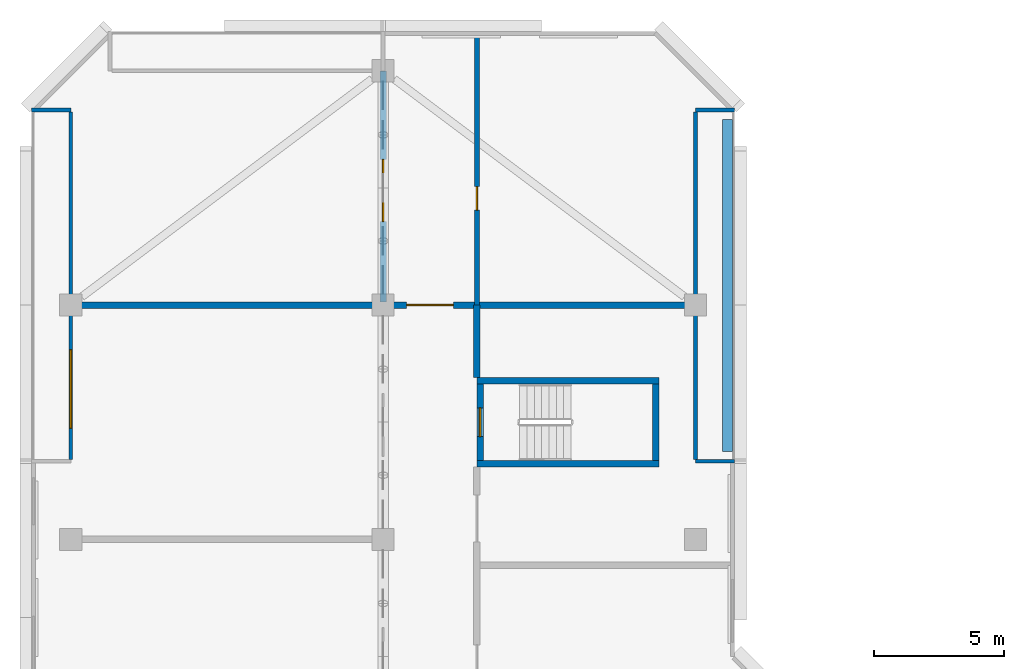
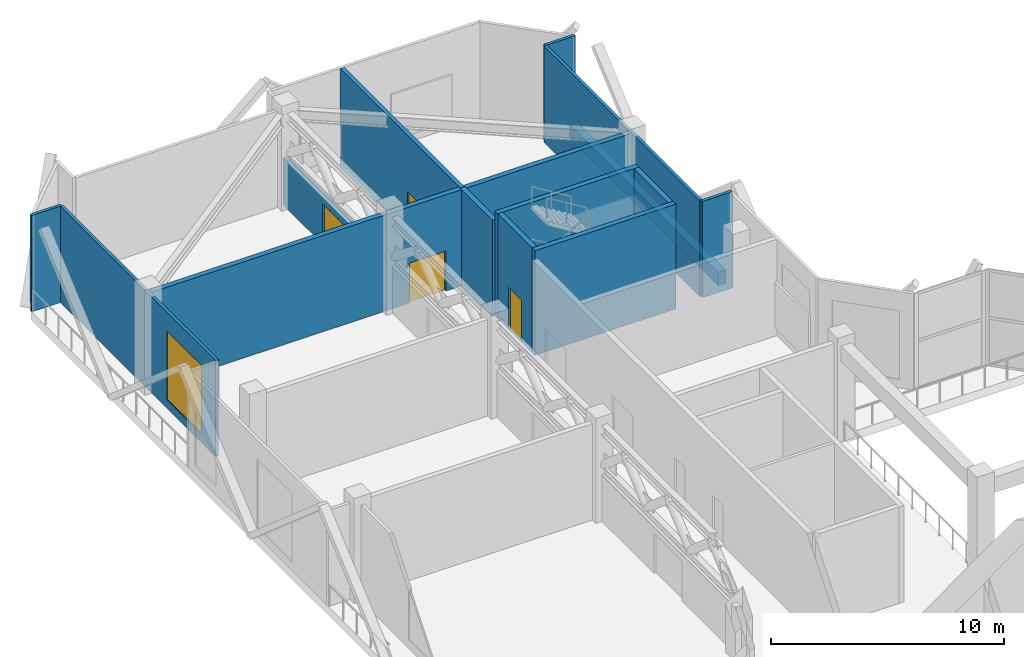
# One storey, part 9 of 14: 15 walls, 4 doors, 1 window, 5 openings.
"""IFC4 building model written with IfcOpenShell, lengths in metres."""

from ifc_helpers import new_model, si_unit, direction, frame, frame_2d, origin, place, context, subcontext, project, spatial, rectangle, extrude, material, layer, layer_set, type_object, element, fill, save


model = new_model("IFC4")

# Units and contexts
model_context = context("Model", 3, precision=1e-05, world=origin(), true_north=direction((0.0, 1.0)))
body_context = subcontext(model_context, "Body", "Model", "MODEL_VIEW")
ifc_project = project(units=[si_unit("LENGTHUNIT", "METRE"), si_unit("AREAUNIT", "SQUARE_METRE"), si_unit("VOLUMEUNIT", "CUBIC_METRE"), si_unit("PLANEANGLEUNIT", "RADIAN"), si_unit("MASSUNIT", "GRAM", prefix="KILO")], contexts=[model_context])

# Site, building, storey
site_placement = place(None, origin())
site = spatial("IfcSite", under=ifc_project, at=site_placement, CompositionType="ELEMENT")
building_placement = place(site_placement, origin())
building = spatial("IfcBuilding", under=site, at=building_placement, Name="Chenar Terraces", CompositionType="ELEMENT")
storey_placement = place(building_placement, frame((0.0, 0.0, 256.64990234375)))
storey = spatial("IfcBuildingStorey", under=building, at=storey_placement, Name="L61", CompositionType="ELEMENT", Elevation=256.64990234375)

# Walls
ifc_material_1 = material(Name="Concrete C60/75", Category="concrete")
ifc_layer_1 = layer(ifc_material_1, 0.25)
ifc_layer_set_1 = layer_set([ifc_layer_1], Name="Concrete C60/75")
wall_type_1 = type_object("IfcWallType", Name="Core wall 250 Concrete C60/75", PredefinedType="SHEAR", material=ifc_layer_set_1)
for number, where, z_axis, x_axis, name in (
    (1, (15.60009765625, 47.89990234375, 0.0), (0.0, 0.0, 1.0), (1.0, 0.0, 0.0), "Core wall ST4_S L61"),
    (2, (15.60009765625, 51.10009765625, 0.0), (0.0, 0.0, 1.0), (1.0, 0.0, 0.0), "Core wall ST4_N L61"),
):
    element("IfcWall", number, at=place(storey_placement, frame(where, z_axis=z_axis, x_axis=x_axis)), inside=storey, type_object=wall_type_1, Name=name, PredefinedType="SHEAR", context=body_context, shape_type="SweptSolid", body=[
        extrude(rectangle(XDim=7.0, YDim=0.25, at=frame_2d((3.5, 0.0))), origin(), (0.0, 0.0, 1.0), 5.5),
    ])

# Wall, opening, door
wall_1_placement = place(storey_placement, frame((15.72509765625, 48.02490234375, 0.0), z_axis=(0.0, 0.0, 1.0), x_axis=(0.0, 1.0, 0.0)))
wall_1 = element("IfcWall", 3, at=wall_1_placement, inside=storey, type_object=wall_type_1, Name="Core wall ST4_W L61", PredefinedType="SHEAR", context=body_context, shape_type="SweptSolid", body=[
    extrude(rectangle(XDim=2.9501953125, YDim=0.25, at=frame_2d((1.47509765625, 0.0))), origin(), (0.0, 0.0, 1.0), 5.5),
])
opening_1_placement = place(wall_1_placement, frame((0.925048828125, 0.0, 0.0)))
opening_1 = element("IfcOpeningElement", 4, at=opening_1_placement, cuts=wall_1, Name="Opening DL61-C9", PredefinedType="OPENING", context=body_context, shape_type="SweptSolid", body=[
    extrude(rectangle(XDim=1.10009765625, YDim=2.199951171875, at=frame_2d((0.550048828125, 1.10009765625))), frame((0.0, 0.135009765625, 0.0), z_axis=(0.0, -1.0, 0.0), x_axis=(1.0, 0.0, 0.0)), (0.0, 0.0, 1.0), 0.27001953125),
])
ifc_material_2 = material(Name="Steel-framed fire-resisting door leaf", Category="steel")
door_type_1 = type_object("IfcDoorType", Name="Stair fire door FD60 1100 x 2200", OperationType="SINGLE_SWING_LEFT", PredefinedType="DOOR", material=ifc_material_2)
door_1_placement = place(opening_1_placement, frame((1.10009765625, 0.0, 0.0), z_axis=(0.0, 0.0, 1.0), x_axis=(-1.0, 0.0, 0.0)))
door_1 = element("IfcDoor", 5, at=door_1_placement, inside=storey, type_object=door_type_1, Name="Stair door DL61-C9", OperationType="SINGLE_SWING_RIGHT", OverallHeight=2.199951171875, OverallWidth=1.10009765625, PredefinedType="DOOR", context=body_context, shape_type="SweptSolid", body=[
    extrude(rectangle(XDim=1.10009765625, YDim=2.199951171875, at=frame_2d((0.550048828125, 1.10009765625))), frame((0.0, 0.02490234375, 0.0), z_axis=(0.0, -1.0, 0.0), x_axis=(1.0, 0.0, 0.0)), (0.0, 0.0, 1.0), 0.050048828125),
])
fill(opening_1, door_1)

# Wall
wall_2_placement = place(storey_placement, frame((22.47509765625, 48.02490234375, 0.0), z_axis=(0.0, 0.0, 1.0), x_axis=(0.0, 1.0, 0.0)))
element("IfcWall", 6, at=wall_2_placement, inside=storey, type_object=wall_type_1, Name="Core wall ST4_E L61", PredefinedType="SHEAR", context=body_context, shape_type="SweptSolid", body=[
    extrude(rectangle(XDim=2.9501953125, YDim=0.25, at=frame_2d((1.47509765625, 0.0))), origin(), (0.0, 0.0, 1.0), 5.5),
])

# Wall, opening, door
ifc_material_3 = material(Name="Gypsum board on steel studs with fire boards", Category="steel")
ifc_layer_2 = layer(ifc_material_3, 0.199951171875)
ifc_layer_set_2 = layer_set([ifc_layer_2], Name="Gypsum board on steel studs with fire boards")
wall_type_2 = type_object("IfcWallType", Name="Corridor wall 200", PredefinedType="PARTITIONING", material=ifc_layer_set_2)
wall_3_placement = place(storey_placement, frame((15.60009765625, 54.0, 0.0), z_axis=(0.0, 0.0, 1.0), x_axis=(0.0, 1.0, 0.0)))
wall_3 = element("IfcWall", 7, at=wall_3_placement, inside=storey, type_object=wall_type_2, Name="Partition L61-011", PredefinedType="PARTITIONING", context=body_context, shape_type="SweptSolid", body=[
    extrude(rectangle(XDim=10.35009765625, YDim=0.199951171875, at=frame_2d((5.175048828125, 0.0))), origin(), (0.0, 0.0, 1.0), 5.050048828125),
])
opening_2_placement = place(wall_3_placement, frame((3.64990234375, 0.0, 0.0)))
opening_2 = element("IfcOpeningElement", 8, at=opening_2_placement, cuts=wall_3, Name="Opening DL61-8", PredefinedType="OPENING", context=body_context, shape_type="SweptSolid", body=[
    extrude(rectangle(XDim=0.89990234375, YDim=2.10009765625, at=frame_2d((0.449951171875, 1.050048828125))), frame((0.0, 0.10986328125, 0.0), z_axis=(0.0, -1.0, 0.0), x_axis=(1.0, 0.0, 0.0)), (0.0, 0.0, 1.0), 0.219970703125),
])
ifc_material_4 = material(Name="Steel-framed fire-resisting door leaf", Category="steel")
door_type_2 = type_object("IfcDoorType", Name="Fire door FD60 900 x 2100", OperationType="SINGLE_SWING_LEFT", PredefinedType="DOOR", material=ifc_material_4)
door_2_placement = place(opening_2_placement, frame((0.89990234375, 0.0, 0.0), z_axis=(0.0, 0.0, 1.0), x_axis=(-1.0, 0.0, 0.0)))
door_2 = element("IfcDoor", 9, at=door_2_placement, inside=storey, type_object=door_type_2, Name="Door DL61-8", OperationType="SINGLE_SWING_LEFT", OverallHeight=2.10009765625, OverallWidth=0.89990234375, PredefinedType="DOOR", context=body_context, shape_type="SweptSolid", body=[
    extrude(rectangle(XDim=0.89990234375, YDim=2.10009765625, at=frame_2d((0.449951171875, 1.050048828125))), frame((0.0, 0.02490234375, 0.0), z_axis=(0.0, -1.0, 0.0), x_axis=(1.0, 0.0, 0.0)), (0.0, 0.0, 1.0), 0.050048828125),
])
fill(opening_2, door_2)

# Wall
ifc_material_5 = material(Name="Aluminium framed glazing", Category="aluminium")
ifc_layer_3 = layer(ifc_material_5, 0.14990234375)
ifc_layer_set_3 = layer_set([ifc_layer_3], Name="Aluminium framed glazing")
wall_type_3 = type_object("IfcWallType", Name="Glazed loggia back wall 150", PredefinedType="SOLIDWALL", material=ifc_layer_set_3)
wall_4_placement = place(storey_placement, frame((24.0, 48.074951171875, 0.0), z_axis=(0.0, 0.0, 1.0), x_axis=(0.0, 1.0, 0.0)))
element("IfcWall", 10, at=wall_4_placement, inside=storey, type_object=wall_type_3, Name="Glazed loggia back wall", PredefinedType="SOLIDWALL", context=body_context, shape_type="SweptSolid", body=[
    extrude(rectangle(XDim=13.35009765625, YDim=0.14990234375, at=frame_2d((6.675048828125, 0.0))), origin(), (0.0, 0.0, 1.0), 5.050048828125),
])

# Wall, opening, window
wall_5_placement = place(storey_placement, frame((0.0, 61.425048828125, 0.0), z_axis=(0.0, 0.0, 1.0), x_axis=(0.0, -1.0, 0.0)))
wall_5 = element("IfcWall", 11, at=wall_5_placement, inside=storey, type_object=wall_type_3, Name="Glazed loggia back wall", PredefinedType="SOLIDWALL", context=body_context, shape_type="SweptSolid", body=[
    extrude(rectangle(XDim=13.35009765625, YDim=0.14990234375, at=frame_2d((6.675048828125, 0.0))), origin(), (0.0, 0.0, 1.0), 5.050048828125),
])
opening_3_placement = place(wall_5_placement, frame((9.14990234375, 0.0, 0.449951171875)))
opening_3 = element("IfcOpeningElement", 12, at=opening_3_placement, cuts=wall_5, Name="Opening W300x360", PredefinedType="OPENING", context=body_context, shape_type="SweptSolid", body=[
    extrude(rectangle(XDim=3.0, YDim=3.60009765625, at=frame_2d((1.5, 1.800048828125))), frame((0.0, 0.0849609375, 0.0), z_axis=(0.0, -1.0, 0.0), x_axis=(1.0, 0.0, 0.0)), (0.0, 0.0, 1.0), 0.169921875),
])
ifc_material_6 = material(Name="Low emissivity double glazing, aluminium frame", Category="aluminium")
window_type = type_object("IfcWindowType", Name="Fixed light 3000 x 3600", PartitioningType="SINGLE_PANEL", PredefinedType="WINDOW", material=ifc_material_6)
window_placement = place(opening_3_placement, origin())
window = element("IfcWindow", 13, at=window_placement, inside=storey, type_object=window_type, Name="Window", OverallHeight=3.60009765625, OverallWidth=3.0, PartitioningType="SINGLE_PANEL", PredefinedType="WINDOW", context=body_context, shape_type="SweptSolid", body=[
    extrude(rectangle(XDim=3.0, YDim=3.60009765625, at=frame_2d((1.5, 1.800048828125))), frame((0.0, 0.030029296875, 0.0), z_axis=(0.0, -1.0, 0.0), x_axis=(1.0, 0.0, 0.0)), (0.0, 0.0, 1.0), 0.06005859375),
])
fill(opening_3, window)

# Walls
ifc_material_7 = material(Name="Terracotta cladding on insulated backing", Category="masonry")
ifc_layer_4 = layer(ifc_material_7, 0.14990234375)
ifc_layer_set_4 = layer_set([ifc_layer_4], Name="Terracotta cladding on insulated backing")
wall_type_4 = type_object("IfcWallType", Name="Loggia return wall 150", PredefinedType="SOLIDWALL", material=ifc_layer_set_4)
for number, where, z_axis, x_axis, name in (
    (14, (25.5, 48.0, 0.0), (0.0, 0.0, 1.0), (-1.0, 0.0, 0.0), "Loggia return wall"),
    (15, (25.5, 61.5, 0.0), (0.0, 0.0, 1.0), (-1.0, 0.0, 0.0), "Loggia return wall"),
    (16, (-1.5, 61.5, 0.0), (0.0, 0.0, 1.0), (1.0, 0.0, 0.0), "Loggia return wall"),
):
    element("IfcWall", number, at=place(storey_placement, frame(where, z_axis=z_axis, x_axis=x_axis)), inside=storey, type_object=wall_type_4, Name=name, PredefinedType="SOLIDWALL", context=body_context, shape_type="SweptSolid", body=[
        extrude(rectangle(XDim=1.5, YDim=0.14990234375, at=frame_2d((0.75, 0.0))), origin(), (0.0, 0.0, 1.0), 5.050048828125),
    ])

# Wall, opening, door
ifc_material_8 = material(Name="Fire-board and steel stud wall with mineral wool", Category="steel")
ifc_layer_5 = layer(ifc_material_8, 0.25)
ifc_layer_set_5 = layer_set([ifc_layer_5], Name="Fire-board and steel stud wall with mineral wool")
wall_type_5 = type_object("IfcWallType", Name="Plant room wall 250", PredefinedType="PARTITIONING", material=ifc_layer_set_5)
wall_6_placement = place(storey_placement, frame((12.0, 54.125, 0.0), z_axis=(0.0, 0.0, 1.0), x_axis=(0.0, 1.0, 0.0)))
wall_6 = element("IfcWall", 17, at=wall_6_placement, inside=storey, type_object=wall_type_5, Name="Partition L61-008", PredefinedType="PARTITIONING", context=body_context, shape_type="SweptSolid", body=[
    extrude(rectangle(XDim=8.875, YDim=0.25, at=frame_2d((4.4375, 0.0))), origin(), (0.0, 0.0, 1.0), 2.4501953125),
])
opening_4_placement = place(wall_6_placement, frame((3.074951171875, 0.0, 0.0)))
opening_4 = element("IfcOpeningElement", 18, at=opening_4_placement, cuts=wall_6, Name="Opening DL61-12", PredefinedType="OPENING", context=body_context, shape_type="SweptSolid", body=[
    extrude(rectangle(XDim=2.39990234375, YDim=2.10009765625, at=frame_2d((1.199951171875, 1.050048828125))), frame((0.0, 0.135009765625, 0.0), z_axis=(0.0, -1.0, 0.0), x_axis=(1.0, 0.0, 0.0)), (0.0, 0.0, 1.0), 0.27001953125),
])
ifc_material_9 = material(Name="Steel-framed fire-resisting door leaf", Category="steel")
door_type_3 = type_object("IfcDoorType", Name="Fire double door FD120 2400 x 2100", OperationType="DOUBLE_DOOR_SINGLE_SWING", PredefinedType="DOOR", material=ifc_material_9)
door_3_placement = place(opening_4_placement, origin())
door_3 = element("IfcDoor", 19, at=door_3_placement, inside=storey, type_object=door_type_3, Name="Door DL61-12", OperationType="DOUBLE_DOOR_SINGLE_SWING", OverallHeight=2.10009765625, OverallWidth=2.39990234375, PredefinedType="DOOR", context=body_context, shape_type="SweptSolid", body=[
    extrude(rectangle(XDim=2.39990234375, YDim=2.10009765625, at=frame_2d((1.199951171875, 1.050048828125))), frame((0.0, 0.02490234375, 0.0), z_axis=(0.0, -1.0, 0.0), x_axis=(1.0, 0.0, 0.0)), (0.0, 0.0, 1.0), 0.050048828125),
])
fill(opening_4, door_3)

# Wall
wall_7_placement = place(storey_placement, frame((15.60009765625, 54.0, 0.0), z_axis=(0.0, 0.0, 1.0), x_axis=(1.0, 0.0, 0.0)))
element("IfcWall", 20, at=wall_7_placement, inside=storey, type_object=wall_type_5, Name="Partition L61-012", PredefinedType="PARTITIONING", context=body_context, shape_type="SweptSolid", body=[
    extrude(rectangle(XDim=8.325927734375, YDim=0.25, at=frame_2d((4.1630859375, 0.0))), origin(), (0.0, 0.0, 1.0), 5.050048828125),
])

# Wall, opening, door
ifc_material_10 = material(Name="Fire-board and steel stud wall with mineral wool", Category="steel")
ifc_layer_6 = layer(ifc_material_10, 0.25)
ifc_layer_set_6 = layer_set([ifc_layer_6], Name="Fire-board and steel stud wall with mineral wool")
wall_type_6 = type_object("IfcWallType", Name="Refuge compartment wall 250", PredefinedType="PARTITIONING", material=ifc_layer_set_6)
wall_8_placement = place(storey_placement, frame((0.073974609375, 54.0, 0.0), z_axis=(0.0, 0.0, 1.0), x_axis=(1.0, 0.0, 0.0)))
wall_8 = element("IfcWall", 21, at=wall_8_placement, inside=storey, type_object=wall_type_6, Name="Partition L61-005", PredefinedType="PARTITIONING", context=body_context, shape_type="SweptSolid", body=[
    extrude(rectangle(XDim=15.526123046875, YDim=0.25, at=frame_2d((7.76318359375, 0.0))), origin(), (0.0, 0.0, 1.0), 5.050048828125),
])
opening_5_placement = place(wall_8_placement, frame((12.825927734375, 0.0, 0.0)))
opening_5 = element("IfcOpeningElement", 22, at=opening_5_placement, cuts=wall_8, Name="Opening DL61-16", PredefinedType="OPENING", context=body_context, shape_type="SweptSolid", body=[
    extrude(rectangle(XDim=1.800048828125, YDim=2.10009765625, at=frame_2d((0.89990234375, 1.050048828125))), frame((0.0, 0.135009765625, 0.0), z_axis=(0.0, -1.0, 0.0), x_axis=(1.0, 0.0, 0.0)), (0.0, 0.0, 1.0), 0.27001953125),
])
ifc_material_11 = material(Name="Steel-framed fire-resisting door leaf", Category="steel")
door_type_4 = type_object("IfcDoorType", Name="Fire double door FD120 1800 x 2100", OperationType="DOUBLE_DOOR_SINGLE_SWING", PredefinedType="DOOR", material=ifc_material_11)
door_4_placement = place(opening_5_placement, frame((1.800048828125, 0.0, 0.0), z_axis=(0.0, 0.0, 1.0), x_axis=(-1.0, 0.0, 0.0)))
door_4 = element("IfcDoor", 23, at=door_4_placement, inside=storey, type_object=door_type_4, Name="Door DL61-16", OperationType="DOUBLE_DOOR_SINGLE_SWING", OverallHeight=2.10009765625, OverallWidth=1.800048828125, PredefinedType="DOOR", context=body_context, shape_type="SweptSolid", body=[
    extrude(rectangle(XDim=1.800048828125, YDim=2.10009765625, at=frame_2d((0.89990234375, 1.050048828125))), frame((0.0, 0.02490234375, 0.0), z_axis=(0.0, -1.0, 0.0), x_axis=(1.0, 0.0, 0.0)), (0.0, 0.0, 1.0), 0.050048828125),
])
fill(opening_5, door_4)

# Walls
wall_9_placement = place(storey_placement, frame((15.60009765625, 51.22509765625, 0.0), z_axis=(0.0, 0.0, 1.0), x_axis=(0.0, 1.0, 0.0)))
element("IfcWall", 24, at=wall_9_placement, inside=storey, type_object=wall_type_6, Name="Partition L61-010", PredefinedType="PARTITIONING", context=body_context, shape_type="SweptSolid", body=[
    extrude(rectangle(XDim=2.77490234375, YDim=0.25, at=frame_2d((1.387451171875, 0.0))), origin(), (0.0, 0.0, 1.0), 5.050048828125),
])
ifc_material_12 = material(Name="GRP planter trough")
ifc_layer_7 = layer(ifc_material_12, 0.39990234375)
ifc_layer_set_7 = layer_set([ifc_layer_7], Name="GRP planter trough")
wall_type_7 = type_object("IfcWallType", Name="Vertical greenery planter 400", PredefinedType="SOLIDWALL", material=ifc_layer_set_7)
wall_10_placement = place(storey_placement, frame((25.22900390625, 48.375, 0.0), z_axis=(0.0, 0.0, 1.0), x_axis=(0.0, 1.0, 0.0)))
element("IfcWall", 25, at=wall_10_placement, inside=storey, type_object=wall_type_7, Name="Vertical greenery planter", PredefinedType="SOLIDWALL", context=body_context, shape_type="SweptSolid", body=[
    extrude(rectangle(XDim=12.75, YDim=0.39990234375, at=frame_2d((6.375, 0.0))), origin(), (0.0, 0.0, 1.0), 0.7001953125),
])

save(model, "model.ifc")
